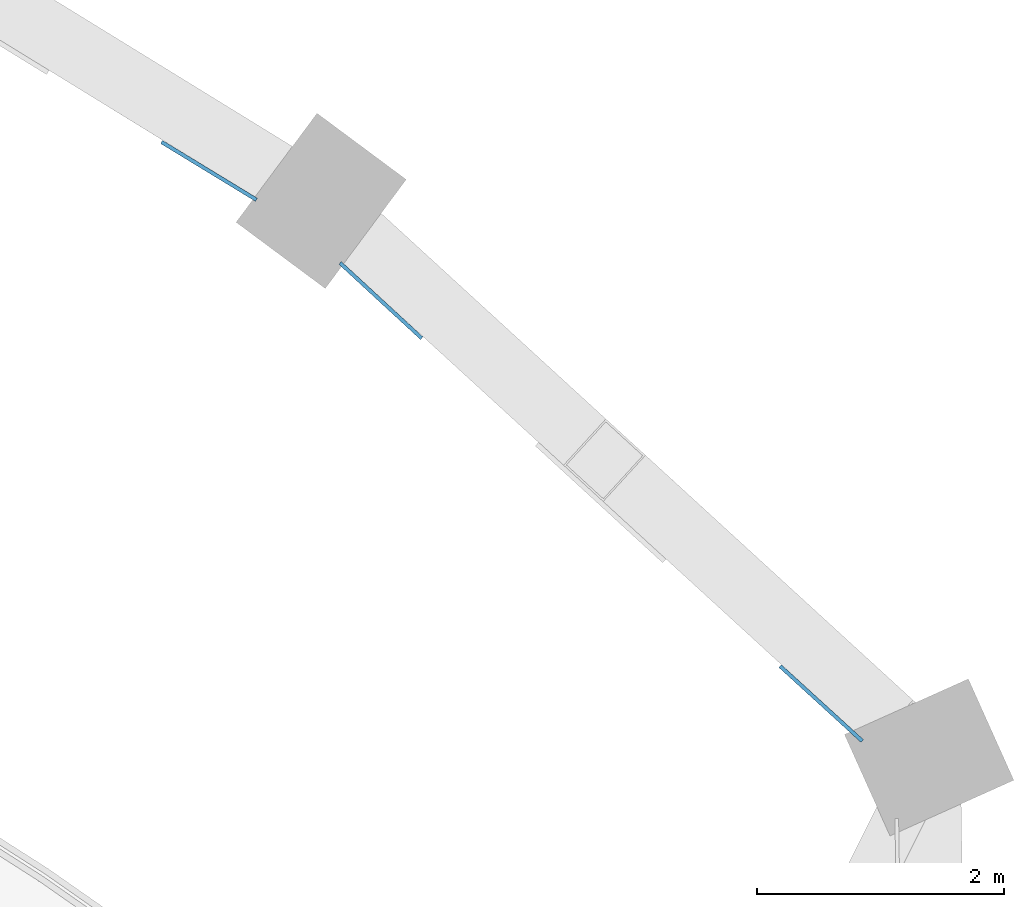
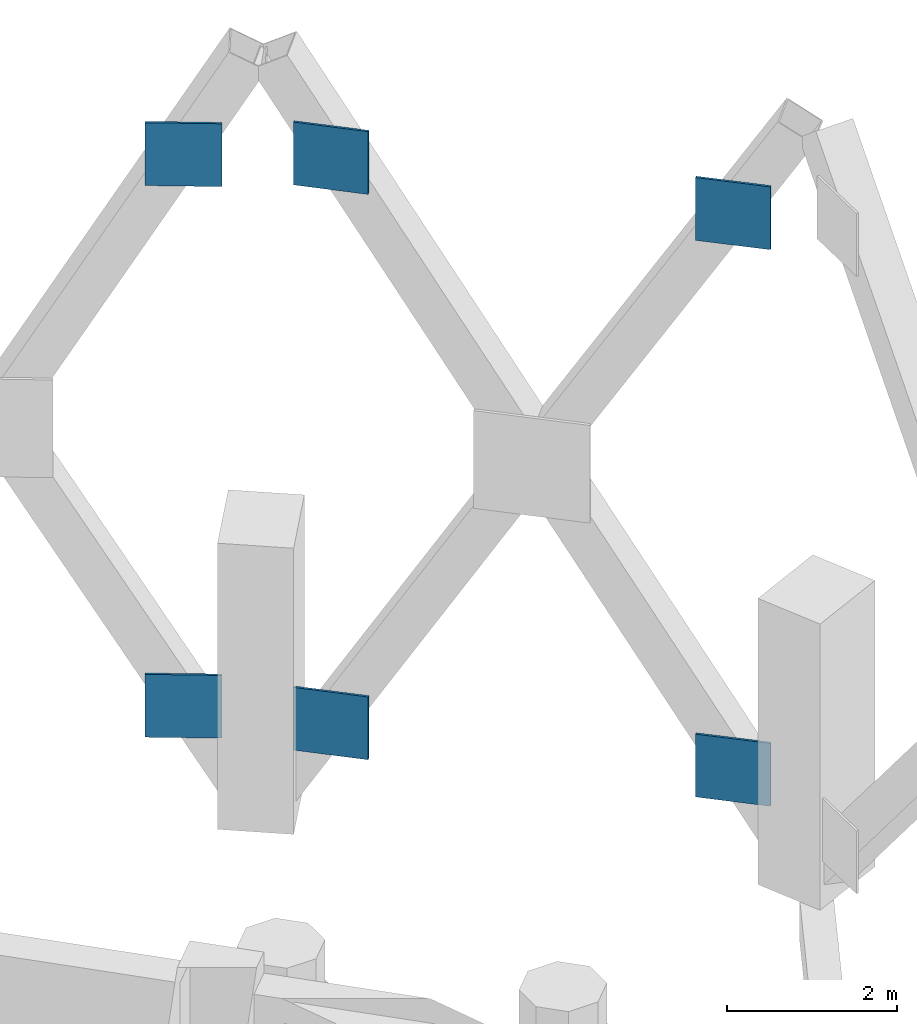
# One storey, part 8 of 16: 6 discrete accessories.
"""IFC4 building model written with IfcOpenShell, lengths in metres."""

import ifcopenshell
import ifcopenshell.guid

model = None  # the IFC model being written
_history = None  # IfcOwnerHistory: only IFC2X3 demands one
_inside = {}  # id of a spatial element -> (the spatial element, [elements in it])
_under = {}  # id of a project, library or spatial element -> (it, [spatial elements below it])
_declared = {}  # id of a project -> (the project, [libraries it declares])
_typed = {}  # id of a type object -> (the type object, [elements of that type])
_made_of = {}  # id of a material, layer set ... -> (it, [elements and type objects made of it])


def new_model(schema):
    """Start an empty IFC model of exactly this schema.

    Asked for "IFC4X3", IfcOpenShell would pick the latest addendum, in which some entities
    have other attributes; the version numbers below select the first issue.
    IFC2X3 requires an IfcOwnerHistory on every rooted entity: one is made here for all.
    """
    global model, _history
    if schema == "IFC4X3":
        model = ifcopenshell.file(schema_version=(4, 3, 0, 0))
    else:
        model = ifcopenshell.file(schema=schema)
    _inside.clear()
    _under.clear()
    _declared.clear()
    _typed.clear()
    _made_of.clear()
    _history = None
    if model.schema == "IFC2X3":
        org = make("IfcOrganization", Name="unknown")
        user = make(
            "IfcPersonAndOrganization",
            ThePerson=make("IfcPerson", FamilyName="unknown"),
            TheOrganization=org,
        )
        app = make(
            "IfcApplication",
            ApplicationDeveloper=org,
            Version="unknown",
            ApplicationFullName="unknown",
            ApplicationIdentifier="unknown",
        )
        _history = make(
            "IfcOwnerHistory",
            OwningUser=user,
            OwningApplication=app,
            ChangeAction="ADDED",
            CreationDate=0,
        )
    return model


def make(cls, **values):
    """One entity of the class cls with the attributes given. An attribute that is None is left unset."""
    return model.create_entity(
        cls, **{name: value for name, value in values.items() if value is not None}
    )


def rooted(cls, **values):
    """An entity with a GlobalId (a new one), such as an element, a storey or a relation."""
    return make(cls, GlobalId=ifcopenshell.guid.new(), OwnerHistory=_history, **values)


def si_unit(unit_type, name, prefix=None):
    """IfcSIUnit, for example si_unit("LENGTHUNIT", "METRE", prefix="MILLI")."""
    return make("IfcSIUnit", UnitType=unit_type, Prefix=prefix, Name=name)


def assignment(units):
    """IfcUnitAssignment: the units of a project."""
    return None if units is None else make("IfcUnitAssignment", Units=units)


def point(xyz):
    """IfcCartesianPoint."""
    return None if xyz is None else make("IfcCartesianPoint", Coordinates=xyz)


def direction(xyz):
    """IfcDirection."""
    return None if xyz is None else make("IfcDirection", DirectionRatios=xyz)


def frame(location, z_axis=None, x_axis=None):
    """IfcAxis2Placement3D, a coordinate frame: its origin and axes. An axis left out is left unset."""
    return make(
        "IfcAxis2Placement3D",
        Location=point(location),
        Axis=direction(z_axis),
        RefDirection=direction(x_axis),
    )


def frame_2d(location, x_axis=None):
    """IfcAxis2Placement2D, a coordinate frame in the plane: its origin and x axis."""
    return make(
        "IfcAxis2Placement2D", Location=point(location), RefDirection=direction(x_axis)
    )


def origin():
    """The frame at (0, 0, 0) with its axes left unset."""
    return frame((0.0, 0.0, 0.0))


def origin_2d():
    """The frame at (0, 0) in the plane with its x axis left unset."""
    return frame_2d((0.0, 0.0))


def place(relative_to, where):
    """IfcLocalPlacement: puts the frame where relative to a parent placement (None: the world)."""
    return make(
        "IfcLocalPlacement", PlacementRelTo=relative_to, RelativePlacement=where
    )


def context(
    kind, dimensions, precision=None, world=None, true_north=None, identifier=None
):
    """IfcGeometricRepresentationContext, for example the 3D "Model" context."""
    return make(
        "IfcGeometricRepresentationContext",
        ContextIdentifier=identifier,
        ContextType=kind,
        CoordinateSpaceDimension=dimensions,
        Precision=precision,
        WorldCoordinateSystem=world,
        TrueNorth=true_north,
    )


def subcontext(parent, identifier, kind, view, scale=None):
    """IfcGeometricRepresentationSubContext, for example "Body" below "Model"."""
    return make(
        "IfcGeometricRepresentationSubContext",
        ContextIdentifier=identifier,
        ContextType=kind,
        ParentContext=parent,
        TargetScale=scale,
        TargetView=view,
    )


def project(units=None, contexts=None):
    """IfcProject with its units and contexts."""
    return rooted(
        "IfcProject",
        Name="project",
        RepresentationContexts=contexts,
        UnitsInContext=assignment(units),
    )


def spatial(cls, under=None, at=None, **own):
    """A site, building, storey or space (cls), placed at a placement, below another one or the project."""
    s = rooted(cls, ObjectPlacement=at, **own)
    if under is not None:
        _under.setdefault(under.id(), (under, []))[1].append(s)
    return s


def profile(cls, at=None, kind="AREA", **sizes):
    """A parametric profile (cls). Its sizes go by their IFC names, for example OverallWidth=200.0."""
    return make(cls, ProfileType=kind, Position=at, **sizes)


def rectangle(**sizes):
    """IfcRectangleProfileDef."""
    return profile("IfcRectangleProfileDef", **sizes)


def extrude(swept, where, along, depth):
    """IfcExtrudedAreaSolid: the profile swept, set in the frame where, extruded along a direction by depth."""
    return make(
        "IfcExtrudedAreaSolid",
        SweptArea=swept,
        Position=where,
        ExtrudedDirection=direction(along),
        Depth=depth,
    )


def shape(context_of_items, identifier, shape_type, items):
    """IfcShapeRepresentation: the items that make up one representation, for example the "Body"."""
    return make(
        "IfcShapeRepresentation",
        ContextOfItems=context_of_items,
        RepresentationIdentifier=identifier,
        RepresentationType=shape_type,
        Items=items,
    )


def material(Name=None, Category=None):
    """IfcMaterial."""
    return make("IfcMaterial", Name=Name, Category=Category)


def material_profile(
    of_material, cross_section, Name=None, Category=None, Priority=None
):
    """IfcMaterialProfile: a cross section and its material."""
    return make(
        "IfcMaterialProfile",
        Name=Name,
        Material=of_material,
        Profile=cross_section,
        Priority=Priority,
        Category=Category,
    )


def profile_set(profiles, Name=None, composite=None):
    """IfcMaterialProfileSet."""
    return make(
        "IfcMaterialProfileSet",
        Name=Name,
        MaterialProfiles=profiles,
        CompositeProfile=composite,
    )


def made_of(thing, what):
    """Note that an element or type object is made of a material, layer set ...; save() writes the relation."""
    if what is not None:
        _made_of.setdefault(what.id(), (what, []))[1].append(thing)
    return thing


def type_object(cls, material=None, **own):
    """A type object (cls), such as IfcWallType, which elements share."""
    return made_of(rooted(cls, **own), material)


def element(
    cls,
    number,
    at=None,
    inside=None,
    cuts=None,
    type_object=None,
    material=None,
    context=None,
    identifier="Body",
    shape_type=None,
    held_by="IfcProductDefinitionShape",
    body=None,
    shapes=None,
    **own,
):
    """One element of the class cls, such as IfcWall. Its Tag is "e" and its number.

    at: its placement. inside: the storey or other place that contains it. cuts: it is an
    opening in that element (IfcRelVoidsElement). A single representation is given by context,
    identifier, shape_type and body (its items); several are given by shapes. held_by: the class
    of the entity that holds the representations. save() writes the other relations.
    """
    e = rooted(cls, Tag="e%d" % number, ObjectPlacement=at, **own)
    if body is not None:
        shapes = [shape(context, identifier, shape_type, body)]
    if shapes is not None:
        e.Representation = make(held_by, Representations=shapes)
    if inside is not None:
        _inside.setdefault(inside.id(), (inside, []))[1].append(e)
    if cuts is not None:
        rooted(
            "IfcRelVoidsElement", RelatingBuildingElement=cuts, RelatedOpeningElement=e
        )
    if type_object is not None:
        _typed.setdefault(type_object.id(), (type_object, []))[1].append(e)
    return made_of(e, material)


def aggregate(whole, parts):
    """IfcRelAggregates: a whole, such as a stair, and the parts it consists of."""
    return rooted("IfcRelAggregates", RelatingObject=whole, RelatedObjects=parts)


def save(model, path):
    """Write the relations noted so far, then the file.

    IfcRelAggregates (storeys below a building ...), IfcRelContainedInSpatialStructure (elements
    in a storey), IfcRelDefinesByType, IfcRelAssociatesMaterial and IfcRelDeclares: one each for
    every whole, place, type object, material and project.
    """
    for whole, parts in _under.values():
        aggregate(whole, parts)
    for where, things in _inside.values():
        rooted(
            "IfcRelContainedInSpatialStructure",
            RelatedElements=things,
            RelatingStructure=where,
        )
    for kind, things in _typed.values():
        rooted("IfcRelDefinesByType", RelatedObjects=things, RelatingType=kind)
    for what, things in _made_of.values():
        rooted("IfcRelAssociatesMaterial", RelatedObjects=things, RelatingMaterial=what)
    for by, libraries in _declared.values():
        rooted("IfcRelDeclares", RelatingContext=by, RelatedDefinitions=libraries)
    model.write(path)


model = new_model("IFC4")

# Units and contexts
model_context = context("Model", 3, precision=1e-05, world=origin(), true_north=direction((0.0, 1.0)))
body_context = subcontext(model_context, "Body", "Model", "MODEL_VIEW")
ifc_project = project(units=[si_unit("LENGTHUNIT", "METRE"), si_unit("AREAUNIT", "SQUARE_METRE"), si_unit("VOLUMEUNIT", "CUBIC_METRE"), si_unit("PLANEANGLEUNIT", "RADIAN"), si_unit("MASSUNIT", "GRAM", prefix="KILO")], contexts=[model_context])

# Site, building, storey
site_placement = place(None, origin())
site = spatial("IfcSite", under=ifc_project, at=site_placement, CompositionType="ELEMENT")
building_placement = place(site_placement, origin())
building = spatial("IfcBuilding", under=site, at=building_placement, Name="Cypress Arch Tower", CompositionType="ELEMENT")
storey_placement = place(building_placement, frame((0.0, 0.0, 168.699951171875)))
storey = spatial("IfcBuildingStorey", under=building, at=storey_placement, Name="L36", CompositionType="ELEMENT", Elevation=168.699951171875)

# Discrete accessories
ifc_material = material(Name="Steel ASTM A992", Category="steel")
ifc_material_profile = material_profile(ifc_material, rectangle(XDim=0.89990234375, YDim=0.89990234375, at=origin_2d()), Name="PL 30 900x900")
ifc_profile_set = profile_set([ifc_material_profile], Name="Steel ASTM A992")
discrete_accessory_type = type_object("IfcDiscreteAccessoryType", Name="Gusset plate 900x900x30 Steel ASTM A992", PredefinedType="ANCHORPLATE", material=ifc_profile_set)
discrete_accessory_1_placement = place(storey_placement, frame((23.198974609375, 14.20654296875, 1.562744140625), z_axis=(-0.673884243496, -0.738836941664, 0.0), x_axis=(0.738836941664, -0.673884243496, 0.0)))
element("IfcDiscreteAccessory", 1, at=discrete_accessory_1_placement, inside=storey, type_object=discrete_accessory_type, Name="Gusset plate L36 CQ15-CQ16u0", PredefinedType="ANCHORPLATE", context=body_context, shape_type="SweptSolid", body=[
    extrude(rectangle(XDim=0.89990234375, YDim=0.89990234375, at=origin_2d()), origin(), (0.0, 0.0, 1.0), 0.030029296875),
])
discrete_accessory_2_placement = place(storey_placement, frame((19.63232421875, 17.470947265625, 9.60009765625), z_axis=(-0.677940786048, -0.735116514991, 0.0), x_axis=(0.735116514991, -0.677940786048, 0.0)))
element("IfcDiscreteAccessory", 2, at=discrete_accessory_2_placement, inside=storey, type_object=discrete_accessory_type, Name="Gusset plate L36 CQ15-CQ16u1", PredefinedType="ANCHORPLATE", context=body_context, shape_type="SweptSolid", body=[
    extrude(rectangle(XDim=0.89990234375, YDim=0.89990234375, at=origin_2d()), origin(), (0.0, 0.0, 1.0), 0.02978515625),
])
discrete_accessory_3_placement = place(storey_placement, frame((23.198974609375, 14.20654296875, 9.537353515625), z_axis=(-0.673884243496, -0.738836941664, 0.0), x_axis=(0.738836941664, -0.673884243496, 0.0)))
element("IfcDiscreteAccessory", 3, at=discrete_accessory_3_placement, inside=storey, type_object=discrete_accessory_type, Name="Gusset plate L36 CQ15-CQ16d0", PredefinedType="ANCHORPLATE", context=body_context, shape_type="SweptSolid", body=[
    extrude(rectangle(XDim=0.89990234375, YDim=0.89990234375, at=origin_2d()), origin(), (0.0, 0.0, 1.0), 0.030029296875),
])
discrete_accessory_4_placement = place(storey_placement, frame((19.63232421875, 17.470947265625, 1.5), z_axis=(-0.677940786048, -0.735116514991, 0.0), x_axis=(0.735116514991, -0.677940786048, 0.0)))
element("IfcDiscreteAccessory", 4, at=discrete_accessory_4_placement, inside=storey, type_object=discrete_accessory_type, Name="Gusset plate L36 CQ15-CQ16d1", PredefinedType="ANCHORPLATE", context=body_context, shape_type="SweptSolid", body=[
    extrude(rectangle(XDim=0.89990234375, YDim=0.89990234375, at=origin_2d()), origin(), (0.0, 0.0, 1.0), 0.02978515625),
])
for number, where, z_axis, x_axis, name in (
    (5, (18.237060546875, 18.523681640625, 1.59814453125), (-0.520462828118, -0.853884327381, 0.0), (0.853884327381, -0.520462828118, 0.0), "Gusset plate L36 CQ16-CQ17u0"),
    (6, (18.237060546875, 18.523681640625, 9.501953125), (-0.520462828118, -0.853884327381, 0.0), (0.853884327381, -0.520462828118, 0.0), "Gusset plate L36 CQ16-CQ17d0"),
):
    element("IfcDiscreteAccessory", number, at=place(storey_placement, frame(where, z_axis=z_axis, x_axis=x_axis)), inside=storey, type_object=discrete_accessory_type, Name=name, PredefinedType="ANCHORPLATE", context=body_context, shape_type="SweptSolid", body=[
        extrude(rectangle(XDim=0.89990234375, YDim=0.89990234375, at=origin_2d()), origin(), (0.0, 0.0, 1.0), 0.030029296875),
    ])

save(model, "model.ifc")
